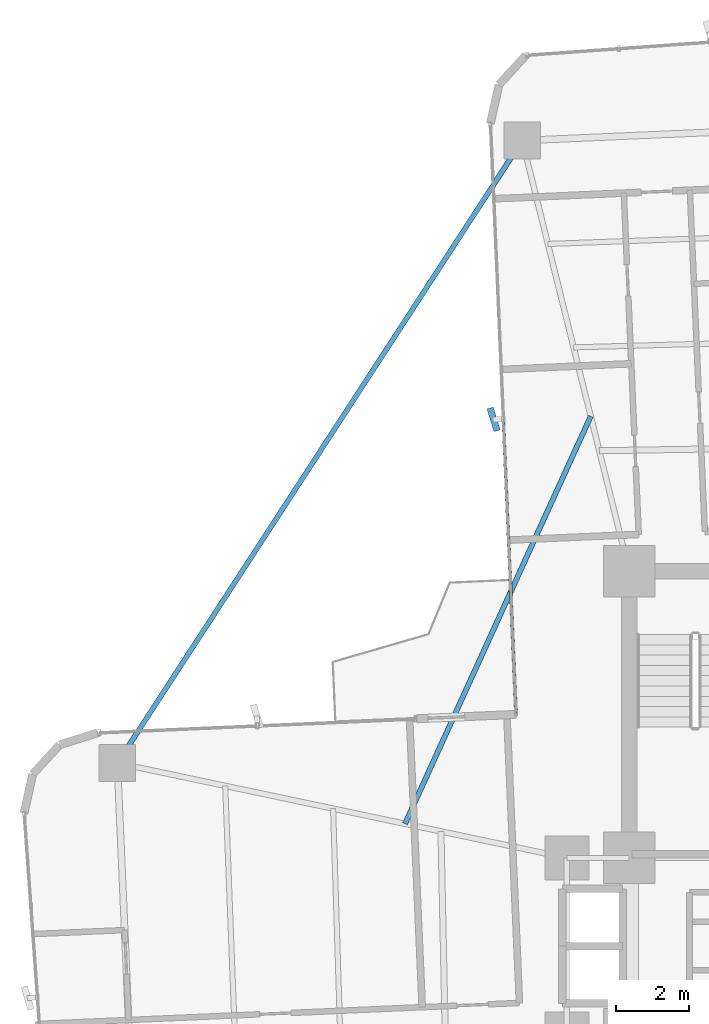
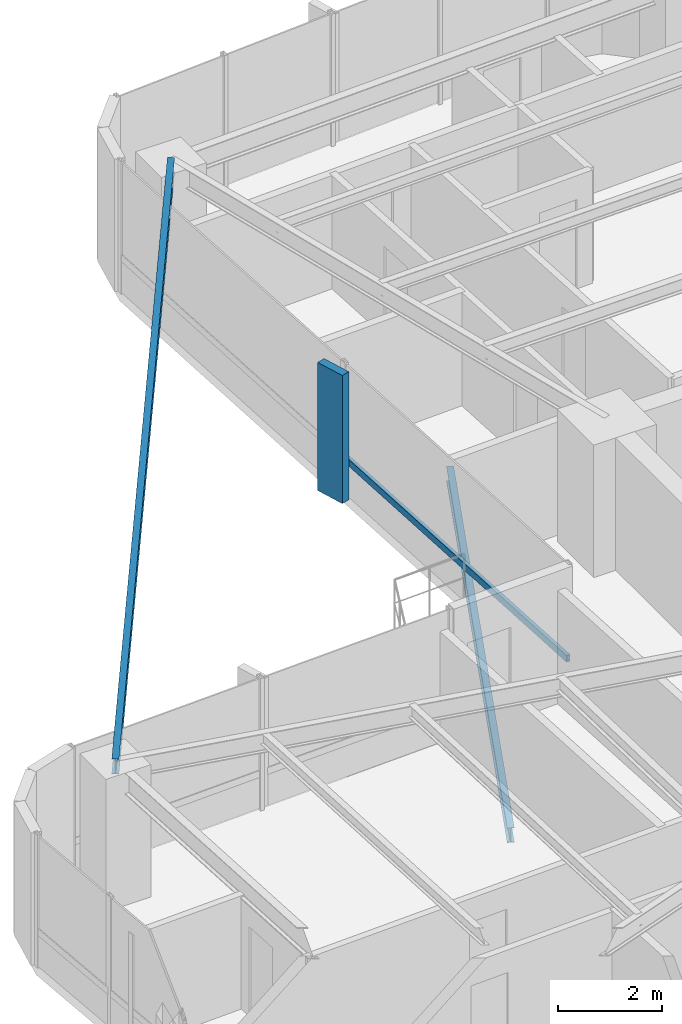
# One storey, part 16 of 26: 2 beams, 2 members, 1 element without a shape of its own.
"""IFC4 building model written with IfcOpenShell, lengths in metres."""

from ifc_helpers import new_model, si_unit, direction, frame, origin, origin_2d, place, context, subcontext, project, spatial, rectangle, hollow_rectangle, i_section, extrude, source, transform, mapped, material, material_profile, profile_set, type_object, element, aggregate, save


model = new_model("IFC4")

# Units and contexts
model_context = context("Model", 3, precision=1e-05, world=origin(), true_north=direction((0.0, 1.0)))
body_context = subcontext(model_context, "Body", "Model", "MODEL_VIEW")
ifc_project = project(units=[si_unit("LENGTHUNIT", "METRE"), si_unit("AREAUNIT", "SQUARE_METRE"), si_unit("VOLUMEUNIT", "CUBIC_METRE"), si_unit("PLANEANGLEUNIT", "RADIAN"), si_unit("MASSUNIT", "GRAM", prefix="KILO")], contexts=[model_context])

# Site, building, storey
site_placement = place(None, origin())
site = spatial("IfcSite", under=ifc_project, at=site_placement, CompositionType="ELEMENT")
building_placement = place(site_placement, origin())
building = spatial("IfcBuilding", under=site, at=building_placement, Name="Sahyath Konkavel Grand Hotel", CompositionType="ELEMENT")
storey_placement = place(building_placement, frame((0.0, 0.0, 124.85009765625)))
storey = spatial("IfcBuildingStorey", under=building, at=storey_placement, Name="L34", CompositionType="ELEMENT", Elevation=124.85009765625)

# Beam
ifc_material_1 = material(Name="Steel E350", Category="steel")
ifc_material_profile_1 = material_profile(ifc_material_1, i_section(OverallWidth=0.139892578125, OverallDepth=0.35009765625, WebThickness=0.008056640625, FlangeThickness=0.01416015625, FilletRadius=0.013916015625, at=origin_2d()), Name="ISMB 350")
ifc_profile_set_1 = profile_set([ifc_material_profile_1], Name="Steel E350")
beam_type_1 = type_object("IfcBeamType", Name="BM-ISMB350", PredefinedType="BEAM", material=ifc_profile_set_1)
shared_shape_1 = source(origin(), body_context, "Body", "SweptSolid", [
    extrude(i_section(OverallWidth=0.139892578125, OverallDepth=0.35009765625, WebThickness=0.008056640625, FlangeThickness=0.01416015625, FilletRadius=0.013916015625, at=origin_2d()), origin(), (0.0, 0.0, 1.0), 20.21533203125),
])
beam_1_placement = place(storey_placement, frame((-6.712890625, 21.927978515625, 2.934814453125), z_axis=(-0.545191244931, -0.838311700056, 0.0), x_axis=(0.838311700056, -0.545191244931, 0.0)))
element("IfcBeam", 1, at=beam_1_placement, inside=storey, type_object=beam_type_1, Name="L34 Re-Entrant Tie Beam NW", PredefinedType="BEAM", context=body_context, shape_type="MappedRepresentation", body=[
    mapped(shared_shape_1, transform((0.0, 0.0, 0.0), scale=1.0)),
])

# Curtain wall, members
ifc_material_2 = material(Name="Anodised Bronze Aluminium & Low-E Glazing", Category="aluminium")
curtain_wall_type = type_object("IfcCurtainWallType", Name="CW-ZONE2", PredefinedType="NOTDEFINED", material=ifc_material_2)
curtain_wall_placement = place(storey_placement, origin())
curtain_wall = element("IfcCurtainWall", 2, at=curtain_wall_placement, inside=storey, type_object=curtain_wall_type, Name="L34 Unitised Curtain Wall F15", PredefinedType="NOTDEFINED")
ifc_material_3 = material(Name="Warm Buff Sandstone Cladding on Concrete C50/60", Category="masonry")
ifc_material_profile_2 = material_profile(ifc_material_3, rectangle(XDim=0.179931640625, YDim=0.64990234375, at=origin_2d()), Name="FIN 180x650")
ifc_profile_set_2 = profile_set([ifc_material_profile_2], Name="Warm Buff Sandstone Cladding on Concrete C50/60")
member_type_1 = type_object("IfcMemberType", Name="FIN-SANDSTONE-650", PredefinedType="MULLION", material=ifc_profile_set_2)
shared_shape_2 = source(origin(), body_context, "Body", "SweptSolid", [
    extrude(rectangle(XDim=0.179931640625, YDim=0.64990234375, at=origin_2d()), origin(), (0.0, 0.0, 1.0), 3.010009765625),
])
member_1_placement = place(storey_placement, frame((-7.492431640625, 14.3369140625, 0.0498046875), z_axis=(0.0, 0.0, 1.0), x_axis=(0.956151539415, 0.292872384621, 0.0)))
member_1 = element("IfcMember", 3, at=member_1_placement, type_object=member_type_1, Name="L34 Sandstone Vertical Solar Fin FIN F15-1", PredefinedType="MULLION", context=body_context, shape_type="MappedRepresentation", body=[
    mapped(shared_shape_2, transform((0.0, 0.0, 0.0), scale=1.0)),
])
ifc_material_4 = material(Name="Anodised Bronze Aluminium", Category="aluminium")
ifc_material_profile_3 = material_profile(ifc_material_4, hollow_rectangle(XDim=0.080078125, YDim=0.159912109375, WallThickness=0.006103515625, at=origin_2d()), Name="RHS 160x80x6")
ifc_profile_set_3 = profile_set([ifc_material_profile_3], Name="Anodised Bronze Aluminium")
member_type_2 = type_object("IfcMemberType", Name="CW-TRN-160", PredefinedType="USERDEFINED", material=ifc_profile_set_3)
shared_shape_3 = source(origin(), body_context, "Body", "SweptSolid", [
    extrude(hollow_rectangle(XDim=0.080078125, YDim=0.159912109375, WallThickness=0.006103515625, at=origin_2d()), origin(), (0.0, 0.0, 1.0), 8.010009765625),
])
member_2_placement = place(storey_placement, frame((-7.232666015625, 14.34814453125, 0.849853515625), z_axis=(0.043615785896, -0.999048378819, 0.0), x_axis=(0.999048378819, 0.043615785896, 0.0)))
member_2 = element("IfcMember", 4, at=member_2_placement, type_object=member_type_2, Name="L34 Curtain Wall Transom F15-1-spandrel", ObjectType="TRANSOM", PredefinedType="USERDEFINED", context=body_context, shape_type="MappedRepresentation", body=[
    mapped(shared_shape_3, transform((0.0, 0.0, 0.0), scale=1.0)),
])
aggregate(curtain_wall, [member_1, member_2])

# Beam
ifc_material_profile_4 = material_profile(ifc_material_1, i_section(OverallWidth=0.139892578125, OverallDepth=0.35009765625, WebThickness=0.008056640625, FlangeThickness=0.01416015625, FilletRadius=0.013916015625, at=origin_2d()), Name="ISMB 350")
ifc_profile_set_4 = profile_set([ifc_material_profile_4], Name="Steel E350")
beam_type_2 = type_object("IfcBeamType", Name="BM-BALC-CANT", PredefinedType="BEAM", material=ifc_profile_set_4)
shared_shape_4 = source(origin(), body_context, "Body", "SweptSolid", [
    extrude(i_section(OverallWidth=0.139892578125, OverallDepth=0.35009765625, WebThickness=0.008056640625, FlangeThickness=0.01416015625, FilletRadius=0.013916015625, at=origin_2d()), origin(), (0.0, 0.0, 1.0), 12.190673828125),
])
beam_2_placement = place(storey_placement, frame((-4.8486328125, 14.422119140625, -0.4150390625), z_axis=(-0.414712580086, -0.909952458054, 0.0), x_axis=(0.909952458054, -0.414712580086, 0.0)))
element("IfcBeam", 5, at=beam_2_placement, inside=storey, type_object=beam_type_2, Name="L34 Balcony Cantilever Support Beam NW", PredefinedType="BEAM", context=body_context, shape_type="MappedRepresentation", body=[
    mapped(shared_shape_4, transform((0.0, 0.0, 0.0), scale=1.0)),
])

save(model, "model.ifc")
